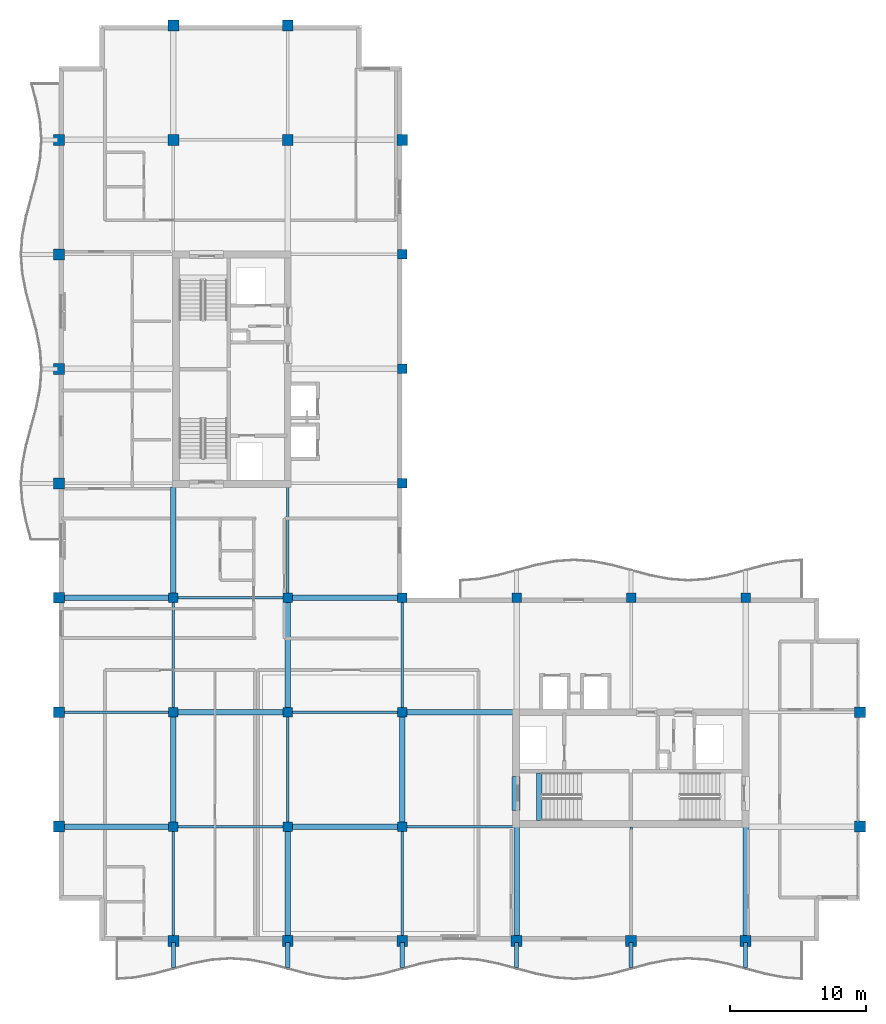
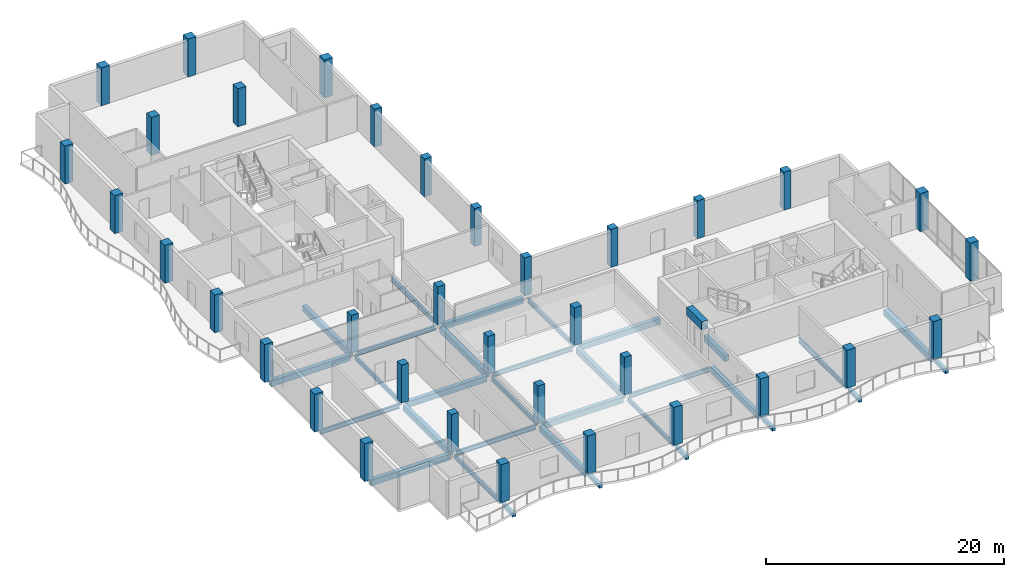
# One storey, part 1 of 14: 35 columns, 33 beams.
"""IFC4 building model written with IfcOpenShell, lengths in metres."""

from ifc_helpers import new_model, si_unit, direction, frame, origin, origin_2d, place, context, subcontext, project, spatial, rectangle, i_section, extrude, material, material_profile, profile_set, type_object, element, save


model = new_model("IFC4")

# Units and contexts
model_context = context("Model", 3, precision=1e-05, world=origin(), true_north=direction((0.0, 1.0)))
body_context = subcontext(model_context, "Body", "Model", "MODEL_VIEW")
ifc_project = project(units=[si_unit("LENGTHUNIT", "METRE"), si_unit("AREAUNIT", "SQUARE_METRE"), si_unit("VOLUMEUNIT", "CUBIC_METRE"), si_unit("PLANEANGLEUNIT", "RADIAN"), si_unit("MASSUNIT", "GRAM", prefix="KILO")], contexts=[model_context])

# Site, building, storey
site_placement = place(None, origin())
site = spatial("IfcSite", under=ifc_project, at=site_placement, CompositionType="ELEMENT")
building_placement = place(site_placement, origin())
building = spatial("IfcBuilding", under=site, at=building_placement, Name="Koriwani Terraces Tower", CompositionType="ELEMENT")
storey_placement = place(building_placement, frame((0.0, 0.0, 339.800048828125)))
storey = spatial("IfcBuildingStorey", under=building, at=storey_placement, Name="L84", CompositionType="ELEMENT", Elevation=339.800048828125)

# Columns
ifc_material_1 = material(Name="Concrete C50/60", Category="concrete")
ifc_material_profile_1 = material_profile(ifc_material_1, rectangle(XDim=0.699951171875, YDim=0.699951171875, at=origin_2d()), Name="Concrete C50/60", Category="LoadBearing")
ifc_profile_set_1 = profile_set([ifc_material_profile_1], Name="Concrete C50/60")
column_type_1 = type_object("IfcColumnType", Name="COL_RC_700X700", PredefinedType="COLUMN", material=ifc_profile_set_1)
for number, where, z_axis, x_axis, name in (
    (1, (16.800048828125, 16.800048828125, 0.0), (0.0, 0.0, 1.0), (1.0, 0.0, 0.0), "L84 Column 3/C"),
    (2, (16.800048828125, 25.199951171875, 0.0), (0.0, 0.0, 1.0), (1.0, 0.0, 0.0), "L84 Column 3/D"),
    (3, (16.800048828125, 33.60009765625, 0.0), (0.0, 0.0, 1.0), (1.0, 0.0, 0.0), "L84 Column 3/E"),
    (4, (25.199951171875, 16.800048828125, 0.0), (0.0, 0.0, 1.0), (1.0, 0.0, 0.0), "L84 Column 4/C"),
    (5, (25.199951171875, 25.199951171875, 0.0), (0.0, 0.0, 1.0), (1.0, 0.0, 0.0), "L84 Column 4/D"),
    (6, (25.199951171875, 33.60009765625, 0.0), (0.0, 0.0, 1.0), (1.0, 0.0, 0.0), "L84 Column 4/E"),
    (7, (33.60009765625, 16.800048828125, 0.0), (0.0, 0.0, 1.0), (1.0, 0.0, 0.0), "L84 Column 5/C"),
    (8, (33.60009765625, 25.199951171875, 0.0), (0.0, 0.0, 1.0), (1.0, 0.0, 0.0), "L84 Column 5/D"),
    (9, (33.60009765625, 33.60009765625, 0.0), (0.0, 0.0, 1.0), (1.0, 0.0, 0.0), "L84 Column 5/E"),
    (10, (33.60009765625, 42.0, 0.0), (0.0, 0.0, 1.0), (1.0, 0.0, 0.0), "L84 Column 5/F"),
    (11, (33.60009765625, 50.39990234375, 0.0), (0.0, 0.0, 1.0), (1.0, 0.0, 0.0), "L84 Column 5/G"),
    (12, (33.60009765625, 58.800048828125, 0.0), (0.0, 0.0, 1.0), (1.0, 0.0, 0.0), "L84 Column 5/H"),
    (13, (42.0, 33.60009765625, 0.0), (0.0, 0.0, 1.0), (1.0, 0.0, 0.0), "L84 Column 6/E"),
    (14, (50.39990234375, 33.60009765625, 0.0), (0.0, 0.0, 1.0), (1.0, 0.0, 0.0), "L84 Column 7/E"),
    (15, (58.800048828125, 33.60009765625, 0.0), (0.0, 0.0, 1.0), (1.0, 0.0, 0.0), "L84 Column 8/E"),
):
    element("IfcColumn", number, at=place(storey_placement, frame(where, z_axis=z_axis, x_axis=x_axis)), inside=storey, type_object=column_type_1, Name=name, PredefinedType="COLUMN", context=body_context, shape_type="SweptSolid", body=[
        extrude(rectangle(XDim=0.699951171875, YDim=0.699951171875, at=origin_2d()), origin(), (0.0, 0.0, 1.0), 3.89990234375),
    ])
ifc_material_profile_2 = material_profile(ifc_material_1, rectangle(XDim=0.800048828125, YDim=0.800048828125, at=origin_2d()), Name="Concrete C50/60", Category="LoadBearing")
ifc_profile_set_2 = profile_set([ifc_material_profile_2], Name="Concrete C50/60")
column_type_2 = type_object("IfcColumnType", Name="COL_RC_800X800", PredefinedType="COLUMN", material=ifc_profile_set_2)
for number, where, z_axis, x_axis, name in (
    (16, (8.39990234375, 16.800048828125, 0.0), (0.0, 0.0, 1.0), (1.0, 0.0, 0.0), "L84 Column 2/C"),
    (17, (8.39990234375, 25.199951171875, 0.0), (0.0, 0.0, 1.0), (1.0, 0.0, 0.0), "L84 Column 2/D"),
    (18, (8.39990234375, 33.60009765625, 0.0), (0.0, 0.0, 1.0), (1.0, 0.0, 0.0), "L84 Column 2/E"),
    (19, (8.39990234375, 42.0, 0.0), (0.0, 0.0, 1.0), (1.0, 0.0, 0.0), "L84 Column 2/F"),
    (20, (8.39990234375, 50.39990234375, 0.0), (0.0, 0.0, 1.0), (1.0, 0.0, 0.0), "L84 Column 2/G"),
    (21, (8.39990234375, 58.800048828125, 0.0), (0.0, 0.0, 1.0), (1.0, 0.0, 0.0), "L84 Column 2/H"),
    (22, (8.39990234375, 67.199951171875, 0.0), (0.0, 0.0, 1.0), (1.0, 0.0, 0.0), "L84 Column 2/I"),
    (23, (16.800048828125, 8.39990234375, 0.0), (0.0, 0.0, 1.0), (1.0, 0.0, 0.0), "L84 Column 3/B"),
    (24, (16.800048828125, 67.199951171875, 0.0), (0.0, 0.0, 1.0), (1.0, 0.0, 0.0), "L84 Column 3/I"),
    (25, (16.800048828125, 75.60009765625, 0.0), (0.0, 0.0, 1.0), (1.0, 0.0, 0.0), "L84 Column 3/J"),
    (26, (25.199951171875, 8.39990234375, 0.0), (0.0, 0.0, 1.0), (1.0, 0.0, 0.0), "L84 Column 4/B"),
    (27, (25.199951171875, 67.199951171875, 0.0), (0.0, 0.0, 1.0), (1.0, 0.0, 0.0), "L84 Column 4/I"),
    (28, (25.199951171875, 75.60009765625, 0.0), (0.0, 0.0, 1.0), (1.0, 0.0, 0.0), "L84 Column 4/J"),
    (29, (33.60009765625, 8.39990234375, 0.0), (0.0, 0.0, 1.0), (1.0, 0.0, 0.0), "L84 Column 5/B"),
    (30, (33.60009765625, 67.199951171875, 0.0), (0.0, 0.0, 1.0), (1.0, 0.0, 0.0), "L84 Column 5/I"),
    (31, (42.0, 8.39990234375, 0.0), (0.0, 0.0, 1.0), (1.0, 0.0, 0.0), "L84 Column 6/B"),
    (32, (50.39990234375, 8.39990234375, 0.0), (0.0, 0.0, 1.0), (1.0, 0.0, 0.0), "L84 Column 7/B"),
    (33, (58.800048828125, 8.39990234375, 0.0), (0.0, 0.0, 1.0), (1.0, 0.0, 0.0), "L84 Column 8/B"),
    (34, (67.199951171875, 16.800048828125, 0.0), (0.0, 0.0, 1.0), (1.0, 0.0, 0.0), "L84 Column 9/C"),
    (35, (67.199951171875, 25.199951171875, 0.0), (0.0, 0.0, 1.0), (1.0, 0.0, 0.0), "L84 Column 9/D"),
):
    element("IfcColumn", number, at=place(storey_placement, frame(where, z_axis=z_axis, x_axis=x_axis)), inside=storey, type_object=column_type_2, Name=name, PredefinedType="COLUMN", context=body_context, shape_type="SweptSolid", body=[
        extrude(rectangle(XDim=0.800048828125, YDim=0.800048828125, at=origin_2d()), origin(), (0.0, 0.0, 1.0), 3.89990234375),
    ])

# Beams
ifc_material_2 = material(Name="Concrete C40/50", Category="concrete")
ifc_material_profile_3 = material_profile(ifc_material_2, rectangle(XDim=0.300048828125, YDim=0.39990234375, at=origin_2d()), Name="Concrete C40/50", Category="LoadBearing")
ifc_profile_set_3 = profile_set([ifc_material_profile_3], Name="Concrete C40/50")
beam_type_1 = type_object("IfcBeamType", Name="BEAM_RC_BALCONY_RIB_300X400", PredefinedType="JOIST", material=ifc_profile_set_3)
for number, where, z_axis, x_axis, name in (
    (36, (16.800048828125, 6.449951171875, -0.429931640625), (0.0, 1.0, 0.0), (-1.0, 0.0, 0.0), "L84 Balcony Bracket Rib S-1"),
    (37, (25.199951171875, 6.449951171875, -0.429931640625), (0.0, 1.0, 0.0), (-1.0, 0.0, 0.0), "L84 Balcony Bracket Rib S-2"),
    (38, (33.60009765625, 6.449951171875, -0.429931640625), (0.0, 1.0, 0.0), (-1.0, 0.0, 0.0), "L84 Balcony Bracket Rib S-3"),
    (39, (42.0, 6.449951171875, -0.429931640625), (0.0, 1.0, 0.0), (-1.0, 0.0, 0.0), "L84 Balcony Bracket Rib S-4"),
    (40, (50.39990234375, 6.449951171875, -0.429931640625), (0.0, 1.0, 0.0), (-1.0, 0.0, 0.0), "L84 Balcony Bracket Rib S-5"),
    (41, (58.800048828125, 6.449951171875, -0.429931640625), (0.0, 1.0, 0.0), (-1.0, 0.0, 0.0), "L84 Balcony Bracket Rib S-6"),
):
    element("IfcBeam", number, at=place(storey_placement, frame(where, z_axis=z_axis, x_axis=x_axis)), inside=storey, type_object=beam_type_1, Name=name, PredefinedType="JOIST", context=body_context, shape_type="SweptSolid", body=[
        extrude(rectangle(XDim=0.300048828125, YDim=0.39990234375, at=origin_2d()), origin(), (0.0, 0.0, 1.0), 1.85009765625),
    ])
ifc_material_profile_4 = material_profile(ifc_material_1, rectangle(XDim=0.60009765625, YDim=0.85009765625, at=origin_2d()), Name="Concrete C50/60", Category="LoadBearing")
ifc_profile_set_4 = profile_set([ifc_material_profile_4], Name="Concrete C50/60")
beam_type_2 = type_object("IfcBeamType", Name="BEAM_RC_COUPLING_600X850", PredefinedType="LINTEL", material=ifc_profile_set_4)
beam_1_placement = place(storey_placement, frame((41.949951171875, 18.0, 3.244873046875), z_axis=(0.0, 1.0, 0.0), x_axis=(-1.0, 0.0, 0.0)))
element("IfcBeam", 42, at=beam_1_placement, inside=storey, type_object=beam_type_2, Name="L84 Core Coupling Lintel Beam EW", PredefinedType="LINTEL", context=body_context, shape_type="SweptSolid", body=[
    extrude(rectangle(XDim=0.60009765625, YDim=0.85009765625, at=origin_2d()), origin(), (0.0, 0.0, 1.0), 2.5),
])
ifc_material_profile_5 = material_profile(ifc_material_2, rectangle(XDim=0.39990234375, YDim=0.60009765625, at=origin_2d()), Name="Concrete C40/50", Category="LoadBearing")
ifc_profile_set_5 = profile_set([ifc_material_profile_5], Name="Concrete C40/50")
beam_type_3 = type_object("IfcBeamType", Name="BEAM_RC_GRID_400X600", PredefinedType="BEAM", material=ifc_profile_set_5)
beam_2_placement = place(storey_placement, frame((43.655029296875, 17.25, -0.300048828125), z_axis=(0.0, 1.0, 0.0), x_axis=(-1.0, 0.0, 0.0)))
element("IfcBeam", 43, at=beam_2_placement, inside=storey, type_object=beam_type_3, Name="L84 Stairwell Header Trimmer Beam ST-E1", PredefinedType="BEAM", context=body_context, shape_type="SweptSolid", body=[
    extrude(rectangle(XDim=0.39990234375, YDim=0.60009765625, at=origin_2d()), origin(), (0.0, 0.0, 1.0), 3.5),
])
beam_3_placement = place(storey_placement, frame((8.780029296875, 16.800048828125, -0.530029296875), z_axis=(1.0, 0.0, 0.0), x_axis=(0.0, 1.0, 0.0)))
element("IfcBeam", 44, at=beam_3_placement, inside=storey, type_object=beam_type_3, Name="L84 Grid Beam C (8.4-16.8m)", PredefinedType="BEAM", context=body_context, shape_type="SweptSolid", body=[
    extrude(rectangle(XDim=0.39990234375, YDim=0.60009765625, at=origin_2d()), origin(), (0.0, 0.0, 1.0), 7.68994140625),
])
beam_4_placement = place(storey_placement, frame((25.530029296875, 16.800048828125, -0.530029296875), z_axis=(1.0, 0.0, 0.0), x_axis=(0.0, 1.0, 0.0)))
element("IfcBeam", 45, at=beam_4_placement, inside=storey, type_object=beam_type_3, Name="L84 Grid Beam C (25.2-33.6m)", PredefinedType="BEAM", context=body_context, shape_type="SweptSolid", body=[
    extrude(rectangle(XDim=0.39990234375, YDim=0.60009765625, at=origin_2d()), origin(), (0.0, 0.0, 1.0), 7.739990234375),
])
beam_5_placement = place(storey_placement, frame((17.1298828125, 25.199951171875, -0.530029296875), z_axis=(1.0, 0.0, 0.0), x_axis=(0.0, 1.0, 0.0)))
element("IfcBeam", 46, at=beam_5_placement, inside=storey, type_object=beam_type_3, Name="L84 Grid Beam D (16.8-25.2m)", PredefinedType="BEAM", context=body_context, shape_type="SweptSolid", body=[
    extrude(rectangle(XDim=0.39990234375, YDim=0.60009765625, at=origin_2d()), origin(), (0.0, 0.0, 1.0), 7.740234375),
])
beam_6_placement = place(storey_placement, frame((33.929931640625, 25.199951171875, -0.530029296875), z_axis=(1.0, 0.0, 0.0), x_axis=(0.0, 1.0, 0.0)))
element("IfcBeam", 47, at=beam_6_placement, inside=storey, type_object=beam_type_3, Name="L84 Grid Beam D (33.6-42.0m)", PredefinedType="BEAM", context=body_context, shape_type="SweptSolid", body=[
    extrude(rectangle(XDim=0.39990234375, YDim=0.60009765625, at=origin_2d()), origin(), (0.0, 0.0, 1.0), 7.7900390625),
])
beam_7_placement = place(storey_placement, frame((8.780029296875, 33.60009765625, -0.530029296875), z_axis=(1.0, 0.0, 0.0), x_axis=(0.0, 1.0, 0.0)))
element("IfcBeam", 48, at=beam_7_placement, inside=storey, type_object=beam_type_3, Name="L84 Grid Beam E (8.4-16.8m)", PredefinedType="BEAM", context=body_context, shape_type="SweptSolid", body=[
    extrude(rectangle(XDim=0.39990234375, YDim=0.60009765625, at=origin_2d()), origin(), (0.0, 0.0, 1.0), 7.68994140625),
])
beam_8_placement = place(storey_placement, frame((25.530029296875, 33.60009765625, -0.530029296875), z_axis=(1.0, 0.0, 0.0), x_axis=(0.0, 1.0, 0.0)))
element("IfcBeam", 49, at=beam_8_placement, inside=storey, type_object=beam_type_3, Name="L84 Grid Beam E (25.2-33.6m)", PredefinedType="BEAM", context=body_context, shape_type="SweptSolid", body=[
    extrude(rectangle(XDim=0.39990234375, YDim=0.60009765625, at=origin_2d()), origin(), (0.0, 0.0, 1.0), 7.739990234375),
])
beam_9_placement = place(storey_placement, frame((16.800048828125, 17.1298828125, -0.530029296875), z_axis=(0.0, 1.0, 0.0), x_axis=(-1.0, 0.0, 0.0)))
element("IfcBeam", 50, at=beam_9_placement, inside=storey, type_object=beam_type_3, Name="L84 Grid Beam 3 (16.8-25.2m)", PredefinedType="BEAM", context=body_context, shape_type="SweptSolid", body=[
    extrude(rectangle(XDim=0.39990234375, YDim=0.60009765625, at=origin_2d()), origin(), (0.0, 0.0, 1.0), 7.740234375),
])
beam_10_placement = place(storey_placement, frame((16.800048828125, 33.929931640625, -0.530029296875), z_axis=(0.0, 1.0, 0.0), x_axis=(-1.0, 0.0, 0.0)))
element("IfcBeam", 51, at=beam_10_placement, inside=storey, type_object=beam_type_3, Name="L84 Grid Beam 3 (33.6-42.0m)", PredefinedType="BEAM", context=body_context, shape_type="SweptSolid", body=[
    extrude(rectangle(XDim=0.39990234375, YDim=0.60009765625, at=origin_2d()), origin(), (0.0, 0.0, 1.0), 7.7900390625),
])
beam_11_placement = place(storey_placement, frame((25.199951171875, 8.780029296875, -0.530029296875), z_axis=(0.0, 1.0, 0.0), x_axis=(-1.0, 0.0, 0.0)))
element("IfcBeam", 52, at=beam_11_placement, inside=storey, type_object=beam_type_3, Name="L84 Grid Beam 4 (8.4-16.8m)", PredefinedType="BEAM", context=body_context, shape_type="SweptSolid", body=[
    extrude(rectangle(XDim=0.39990234375, YDim=0.60009765625, at=origin_2d()), origin(), (0.0, 0.0, 1.0), 7.68994140625),
])
beam_12_placement = place(storey_placement, frame((25.199951171875, 25.530029296875, -0.530029296875), z_axis=(0.0, 1.0, 0.0), x_axis=(-1.0, 0.0, 0.0)))
element("IfcBeam", 53, at=beam_12_placement, inside=storey, type_object=beam_type_3, Name="L84 Grid Beam 4 (25.2-33.6m)", PredefinedType="BEAM", context=body_context, shape_type="SweptSolid", body=[
    extrude(rectangle(XDim=0.39990234375, YDim=0.60009765625, at=origin_2d()), origin(), (0.0, 0.0, 1.0), 7.739990234375),
])
beam_13_placement = place(storey_placement, frame((33.60009765625, 17.1298828125, -0.530029296875), z_axis=(0.0, 1.0, 0.0), x_axis=(-1.0, 0.0, 0.0)))
element("IfcBeam", 54, at=beam_13_placement, inside=storey, type_object=beam_type_3, Name="L84 Grid Beam 5 (16.8-25.2m)", PredefinedType="BEAM", context=body_context, shape_type="SweptSolid", body=[
    extrude(rectangle(XDim=0.39990234375, YDim=0.60009765625, at=origin_2d()), origin(), (0.0, 0.0, 1.0), 7.740234375),
])
for number, where, z_axis, x_axis, name in (
    (55, (42.0, 8.780029296875, -0.530029296875), (0.0, 1.0, 0.0), (-1.0, 0.0, 0.0), "L84 Grid Beam 6 (8.4-16.8m)"),
    (56, (58.800048828125, 8.780029296875, -0.530029296875), (0.0, 1.0, 0.0), (-1.0, 0.0, 0.0), "L84 Grid Beam 8 (8.4-16.8m)"),
):
    element("IfcBeam", number, at=place(storey_placement, frame(where, z_axis=z_axis, x_axis=x_axis)), inside=storey, type_object=beam_type_3, Name=name, PredefinedType="BEAM", context=body_context, shape_type="SweptSolid", body=[
        extrude(rectangle(XDim=0.39990234375, YDim=0.60009765625, at=origin_2d()), origin(), (0.0, 0.0, 1.0), 7.989990234375),
    ])
ifc_material_3 = material(Name="Steel ASTM A572 Grade 50", Category="steel")
ifc_material_profile_6 = material_profile(ifc_material_3, i_section(OverallWidth=0.193115234375, OverallDepth=0.462890625, WebThickness=0.0107421875, FlangeThickness=0.017333984375, at=origin_2d()), Name="Steel ASTM A572 Grade 50", Category="LoadBearing")
ifc_profile_set_6 = profile_set([ifc_material_profile_6], Name="Steel ASTM A572 Grade 50")
beam_type_4 = type_object("IfcBeamType", Name="STEEL_BEAM_W460X113", PredefinedType="BEAM", material=ifc_profile_set_6)
beam_14_placement = place(storey_placement, frame((17.1298828125, 16.800048828125, -0.461669921875), z_axis=(1.0, 0.0, 0.0), x_axis=(0.0, 1.0, 0.0)))
element("IfcBeam", 57, at=beam_14_placement, inside=storey, type_object=beam_type_4, Name="L84 Grid Beam C (16.8-25.2m)", PredefinedType="BEAM", context=body_context, shape_type="SweptSolid", body=[
    extrude(i_section(OverallWidth=0.193115234375, OverallDepth=0.462890625, WebThickness=0.0107421875, FlangeThickness=0.017333984375, at=origin_2d()), origin(), (0.0, 0.0, 1.0), 7.740234375),
])
beam_15_placement = place(storey_placement, frame((33.929931640625, 16.800048828125, -0.461669921875), z_axis=(1.0, 0.0, 0.0), x_axis=(0.0, 1.0, 0.0)))
element("IfcBeam", 58, at=beam_15_placement, inside=storey, type_object=beam_type_4, Name="L84 Grid Beam C (33.6-42.0m)", PredefinedType="BEAM", context=body_context, shape_type="SweptSolid", body=[
    extrude(i_section(OverallWidth=0.193115234375, OverallDepth=0.462890625, WebThickness=0.0107421875, FlangeThickness=0.017333984375, at=origin_2d()), origin(), (0.0, 0.0, 1.0), 7.7900390625),
])
beam_16_placement = place(storey_placement, frame((8.780029296875, 25.199951171875, -0.461669921875), z_axis=(1.0, 0.0, 0.0), x_axis=(0.0, 1.0, 0.0)))
element("IfcBeam", 59, at=beam_16_placement, inside=storey, type_object=beam_type_4, Name="L84 Grid Beam D (8.4-16.8m)", PredefinedType="BEAM", context=body_context, shape_type="SweptSolid", body=[
    extrude(i_section(OverallWidth=0.193115234375, OverallDepth=0.462890625, WebThickness=0.0107421875, FlangeThickness=0.017333984375, at=origin_2d()), origin(), (0.0, 0.0, 1.0), 7.68994140625),
])
beam_17_placement = place(storey_placement, frame((25.530029296875, 25.199951171875, -0.461669921875), z_axis=(1.0, 0.0, 0.0), x_axis=(0.0, 1.0, 0.0)))
element("IfcBeam", 60, at=beam_17_placement, inside=storey, type_object=beam_type_4, Name="L84 Grid Beam D (25.2-33.6m)", PredefinedType="BEAM", context=body_context, shape_type="SweptSolid", body=[
    extrude(i_section(OverallWidth=0.193115234375, OverallDepth=0.462890625, WebThickness=0.0107421875, FlangeThickness=0.017333984375, at=origin_2d()), origin(), (0.0, 0.0, 1.0), 7.739990234375),
])
beam_18_placement = place(storey_placement, frame((17.1298828125, 33.60009765625, -0.461669921875), z_axis=(1.0, 0.0, 0.0), x_axis=(0.0, 1.0, 0.0)))
element("IfcBeam", 61, at=beam_18_placement, inside=storey, type_object=beam_type_4, Name="L84 Grid Beam E (16.8-25.2m)", PredefinedType="BEAM", context=body_context, shape_type="SweptSolid", body=[
    extrude(i_section(OverallWidth=0.193115234375, OverallDepth=0.462890625, WebThickness=0.0107421875, FlangeThickness=0.017333984375, at=origin_2d()), origin(), (0.0, 0.0, 1.0), 7.740234375),
])
beam_19_placement = place(storey_placement, frame((16.800048828125, 8.780029296875, -0.461669921875), z_axis=(0.0, 1.0, 0.0), x_axis=(-1.0, 0.0, 0.0)))
element("IfcBeam", 62, at=beam_19_placement, inside=storey, type_object=beam_type_4, Name="L84 Grid Beam 3 (8.4-16.8m)", PredefinedType="BEAM", context=body_context, shape_type="SweptSolid", body=[
    extrude(i_section(OverallWidth=0.193115234375, OverallDepth=0.462890625, WebThickness=0.0107421875, FlangeThickness=0.017333984375, at=origin_2d()), origin(), (0.0, 0.0, 1.0), 7.68994140625),
])
beam_20_placement = place(storey_placement, frame((16.800048828125, 25.530029296875, -0.461669921875), z_axis=(0.0, 1.0, 0.0), x_axis=(-1.0, 0.0, 0.0)))
element("IfcBeam", 63, at=beam_20_placement, inside=storey, type_object=beam_type_4, Name="L84 Grid Beam 3 (25.2-33.6m)", PredefinedType="BEAM", context=body_context, shape_type="SweptSolid", body=[
    extrude(i_section(OverallWidth=0.193115234375, OverallDepth=0.462890625, WebThickness=0.0107421875, FlangeThickness=0.017333984375, at=origin_2d()), origin(), (0.0, 0.0, 1.0), 7.739990234375),
])
beam_21_placement = place(storey_placement, frame((25.199951171875, 17.1298828125, -0.461669921875), z_axis=(0.0, 1.0, 0.0), x_axis=(-1.0, 0.0, 0.0)))
element("IfcBeam", 64, at=beam_21_placement, inside=storey, type_object=beam_type_4, Name="L84 Grid Beam 4 (16.8-25.2m)", PredefinedType="BEAM", context=body_context, shape_type="SweptSolid", body=[
    extrude(i_section(OverallWidth=0.193115234375, OverallDepth=0.462890625, WebThickness=0.0107421875, FlangeThickness=0.017333984375, at=origin_2d()), origin(), (0.0, 0.0, 1.0), 7.740234375),
])
beam_22_placement = place(storey_placement, frame((25.199951171875, 33.929931640625, -0.461669921875), z_axis=(0.0, 1.0, 0.0), x_axis=(-1.0, 0.0, 0.0)))
element("IfcBeam", 65, at=beam_22_placement, inside=storey, type_object=beam_type_4, Name="L84 Grid Beam 4 (33.6-42.0m)", PredefinedType="BEAM", context=body_context, shape_type="SweptSolid", body=[
    extrude(i_section(OverallWidth=0.193115234375, OverallDepth=0.462890625, WebThickness=0.0107421875, FlangeThickness=0.017333984375, at=origin_2d()), origin(), (0.0, 0.0, 1.0), 7.7900390625),
])
beam_23_placement = place(storey_placement, frame((33.60009765625, 8.780029296875, -0.461669921875), z_axis=(0.0, 1.0, 0.0), x_axis=(-1.0, 0.0, 0.0)))
element("IfcBeam", 66, at=beam_23_placement, inside=storey, type_object=beam_type_4, Name="L84 Grid Beam 5 (8.4-16.8m)", PredefinedType="BEAM", context=body_context, shape_type="SweptSolid", body=[
    extrude(i_section(OverallWidth=0.193115234375, OverallDepth=0.462890625, WebThickness=0.0107421875, FlangeThickness=0.017333984375, at=origin_2d()), origin(), (0.0, 0.0, 1.0), 7.68994140625),
])
beam_24_placement = place(storey_placement, frame((33.60009765625, 25.530029296875, -0.461669921875), z_axis=(0.0, 1.0, 0.0), x_axis=(-1.0, 0.0, 0.0)))
element("IfcBeam", 67, at=beam_24_placement, inside=storey, type_object=beam_type_4, Name="L84 Grid Beam 5 (25.2-33.6m)", PredefinedType="BEAM", context=body_context, shape_type="SweptSolid", body=[
    extrude(i_section(OverallWidth=0.193115234375, OverallDepth=0.462890625, WebThickness=0.0107421875, FlangeThickness=0.017333984375, at=origin_2d()), origin(), (0.0, 0.0, 1.0), 7.739990234375),
])
beam_25_placement = place(storey_placement, frame((50.39990234375, 8.780029296875, -0.461669921875), z_axis=(0.0, 1.0, 0.0), x_axis=(-1.0, 0.0, 0.0)))
element("IfcBeam", 68, at=beam_25_placement, inside=storey, type_object=beam_type_4, Name="L84 Grid Beam 7 (8.4-16.8m)", PredefinedType="BEAM", context=body_context, shape_type="SweptSolid", body=[
    extrude(i_section(OverallWidth=0.193115234375, OverallDepth=0.462890625, WebThickness=0.0107421875, FlangeThickness=0.017333984375, at=origin_2d()), origin(), (0.0, 0.0, 1.0), 7.989990234375),
])

save(model, "model.ifc")
